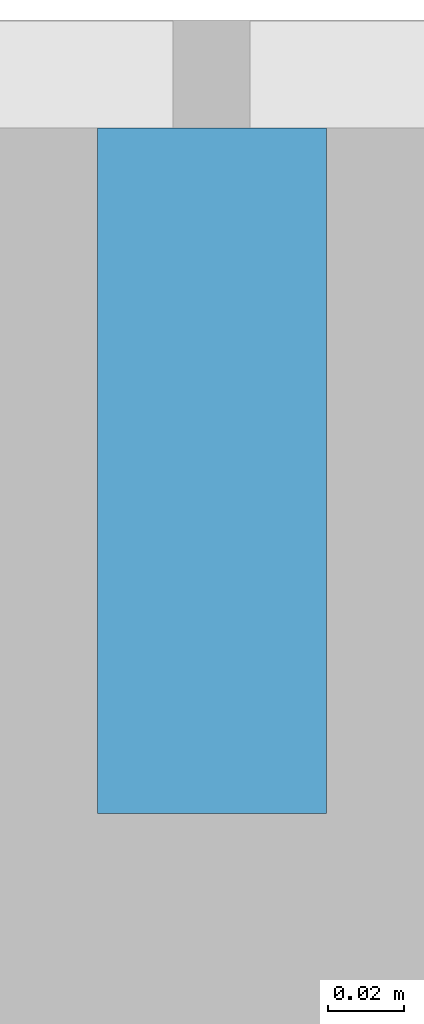
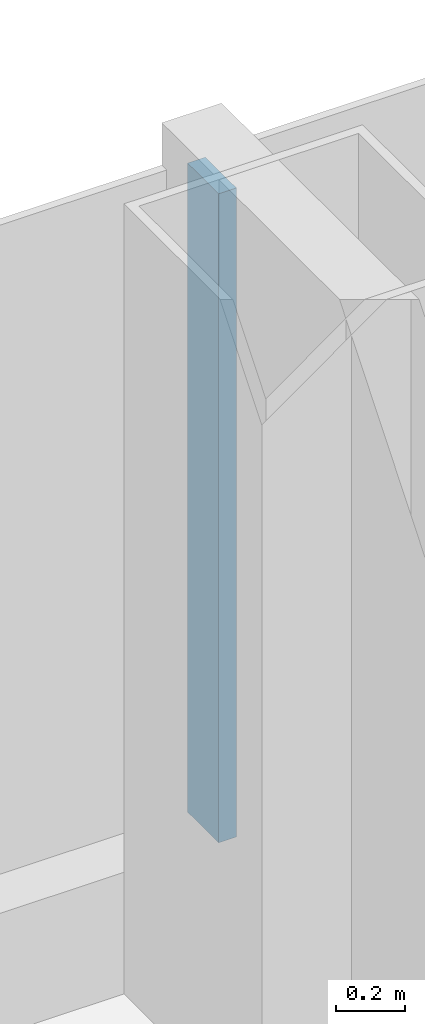
# One storey, part 8 of 29: 1 member, 1 element without a shape of its own.
"""IFC4 building model written with IfcOpenShell, lengths in metres."""

from ifc_helpers import new_model, si_unit, direction, frame, origin, origin_2d, place, context, subcontext, project, spatial, rectangle, extrude, material, layer, layer_set, material_profile, profile_set, type_object, element, aggregate, save


model = new_model("IFC4")

# Units and contexts
model_context = context("Model", 3, precision=1e-05, world=origin(), true_north=direction((0.0, 1.0)))
body_context = subcontext(model_context, "Body", "Model", "MODEL_VIEW")
ifc_project = project(units=[si_unit("LENGTHUNIT", "METRE"), si_unit("AREAUNIT", "SQUARE_METRE"), si_unit("VOLUMEUNIT", "CUBIC_METRE"), si_unit("PLANEANGLEUNIT", "RADIAN"), si_unit("MASSUNIT", "GRAM", prefix="KILO")], contexts=[model_context])

# Site, building, storey
site_placement = place(None, origin())
site = spatial("IfcSite", under=ifc_project, at=site_placement, CompositionType="ELEMENT")
building_placement = place(site_placement, origin())
building = spatial("IfcBuilding", under=site, at=building_placement, Name="Hakoniwa Tower and Hamabe Station Hall", CompositionType="ELEMENT")
storey_placement = place(building_placement, frame((0.0, 0.0, 88.199951171875)))
storey = spatial("IfcBuildingStorey", under=building, at=storey_placement, Name="L24", CompositionType="ELEMENT", Elevation=88.199951171875)

# Curtain wall, member
ifc_material_1 = material(Name="Dark low-e laminated glass", Category="glass")
ifc_layer = layer(ifc_material_1, 0.199951171875)
ifc_layer_set = layer_set([ifc_layer], Name="CW-1 UNITISED GUEST")
curtain_wall_type = type_object("IfcCurtainWallType", Name="CW-1 UNITISED GUEST", PredefinedType="NOTDEFINED", material=ifc_layer_set)
curtain_wall_placement = place(storey_placement, origin())
curtain_wall = element("IfcCurtainWall", 1, at=curtain_wall_placement, inside=storey, type_object=curtain_wall_type, Name="CW-1 curtain wall", PredefinedType="NOTDEFINED")
ifc_material_2 = material(Name="Aluminium 6063-T5 black anodised", Category="aluminium")
ifc_material_profile = material_profile(ifc_material_2, rectangle(XDim=0.06005859375, YDim=0.179931640625, at=origin_2d()), Name="CW-1 MULLION 60X180")
ifc_profile_set = profile_set([ifc_material_profile], Name="Aluminium 6063-T5 black anodised")
member_type = type_object("IfcMemberType", Name="CW-1 MULLION 60X180", PredefinedType="MULLION", material=ifc_profile_set)
member_placement = place(storey_placement, frame((-8.39990234375, 23.431884765625, 0.35009765625), z_axis=(0.0, 0.0, 1.0), x_axis=(-1.0, 0.0, 0.0)))
member = element("IfcMember", 2, at=member_placement, type_object=member_type, Name="CW-1 mullion", PredefinedType="MULLION", context=body_context, shape_type="SweptSolid", body=[
    extrude(rectangle(XDim=0.06005859375, YDim=0.179931640625, at=origin_2d()), origin(), (0.0, 0.0, 1.0), 2.300048828125),
])
aggregate(curtain_wall, [member])

save(model, "model.ifc")
